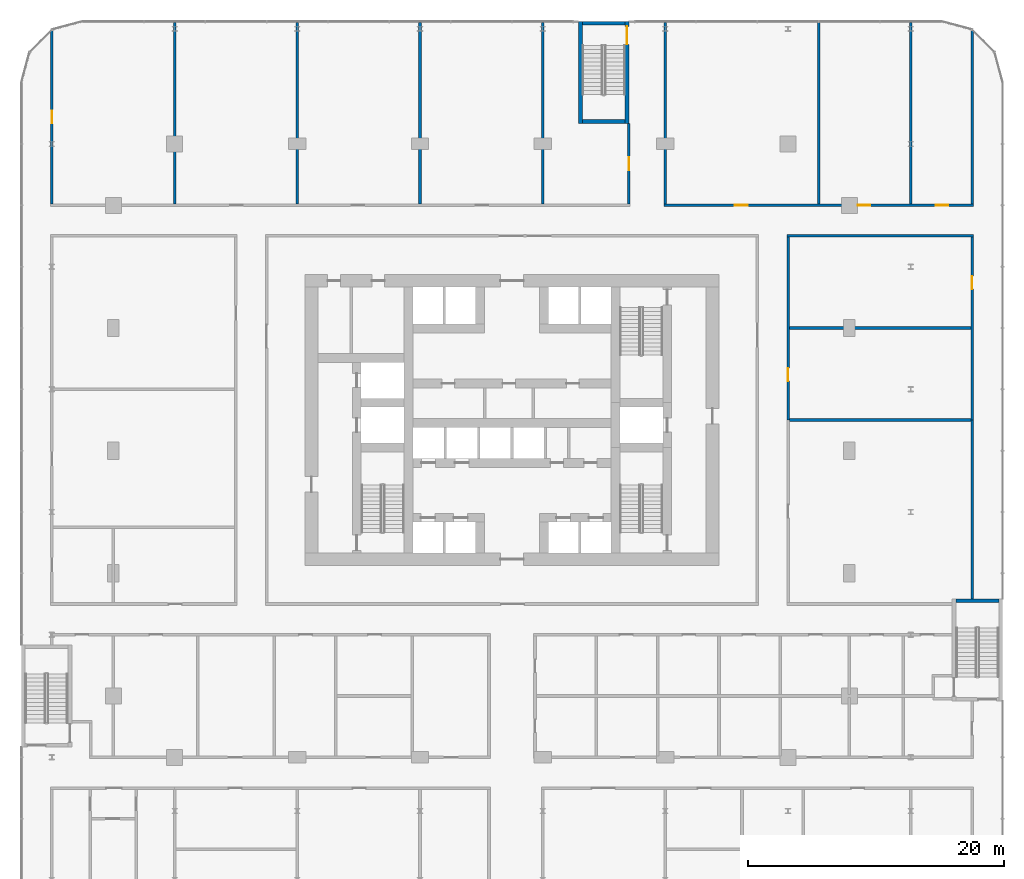
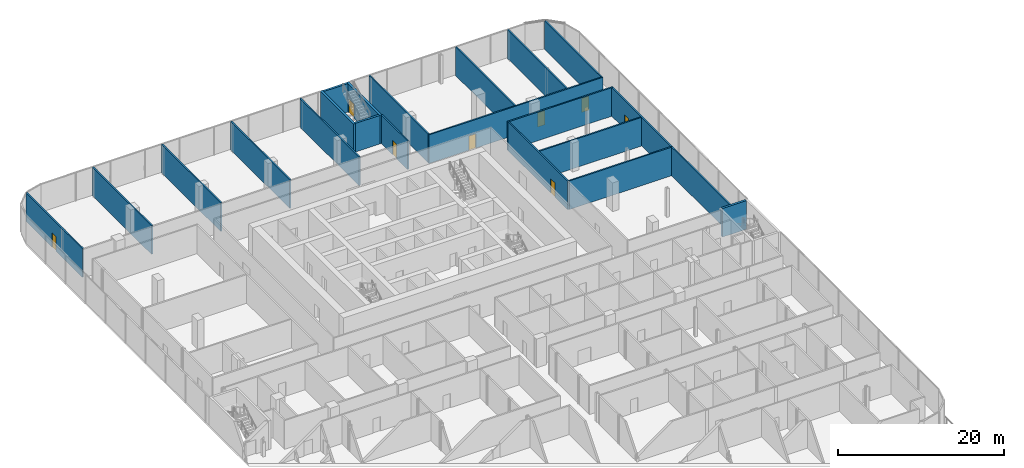
# One storey, part 37 of 45: 22 walls, 8 doors, 8 openings.
"""IFC4 building model written with IfcOpenShell, lengths in metres."""

from ifc_helpers import new_model, si_unit, direction, frame, frame_2d, origin, place, context, subcontext, project, spatial, rectangle, extrude, material, layer, layer_set, type_object, element, fill, save


model = new_model("IFC4")

# Units and contexts
model_context = context("Model", 3, precision=1e-05, world=origin(), true_north=direction((0.0, 1.0)))
body_context = subcontext(model_context, "Body", "Model", "MODEL_VIEW")
ifc_project = project(units=[si_unit("LENGTHUNIT", "METRE"), si_unit("AREAUNIT", "SQUARE_METRE"), si_unit("VOLUMEUNIT", "CUBIC_METRE"), si_unit("PLANEANGLEUNIT", "RADIAN"), si_unit("MASSUNIT", "GRAM", prefix="KILO")], contexts=[model_context])

# Site, building, storey
site_placement = place(None, origin())
site = spatial("IfcSite", under=ifc_project, at=site_placement, CompositionType="ELEMENT")
building_placement = place(site_placement, origin())
building = spatial("IfcBuilding", under=site, at=building_placement, Name="Madar Terraces", CompositionType="ELEMENT")
storey_placement = place(building_placement, frame((0.0, 0.0, 6.0)))
storey = spatial("IfcBuildingStorey", under=building, at=storey_placement, Name="L01", CompositionType="ELEMENT", Elevation=6.0)

# Walls
ifc_material_1 = material(Name="Blockwork", Category="masonry")
ifc_layer_1 = layer(ifc_material_1, 0.199951171875)
ifc_layer_set_1 = layer_set([ifc_layer_1], Name="Partition 200 EI 120")
wall_type_1 = type_object("IfcWallType", Name="Partition 200 EI 120", PredefinedType="PARTITIONING", material=ifc_layer_set_1)
wall_1_placement = place(storey_placement, frame((52.89990234375, 26.39990234375, 0.0), z_axis=(0.0, 0.0, 1.0), x_axis=(1.0, 0.0, 0.0)))
element("IfcWall", 1, at=wall_1_placement, inside=storey, type_object=wall_type_1, Name="Wall COMMS ROOM / CLEANERS STORE", PredefinedType="PARTITIONING", context=body_context, shape_type="SweptSolid", body=[
    extrude(rectangle(XDim=14.2001953125, YDim=0.199951171875, at=frame_2d((7.10009765625, 0.0))), origin(), (0.0, 0.0, 1.0), 4.199951171875),
])
wall_2_placement = place(storey_placement, frame((67.199951171875, 12.39990234375, 0.0), z_axis=(0.0, 0.0, 1.0), x_axis=(0.0, 1.0, 0.0)))
element("IfcWall", 2, at=wall_2_placement, inside=storey, type_object=wall_type_1, Name="Wall COMMS ROOM / PODIUM CORRIDOR", PredefinedType="PARTITIONING", context=body_context, shape_type="SweptSolid", body=[
    extrude(rectangle(XDim=14.0, YDim=0.199951171875, at=frame_2d((7.0, 0.0))), origin(), (0.0, 0.0, 1.0), 4.199951171875),
])
ifc_material_2 = material(Name="Gypsum board partition, fire-rated")
ifc_layer_2 = layer(ifc_material_2, 0.199951171875)
ifc_layer_set_2 = layer_set([ifc_layer_2], Name="Partition 200 EI 60")
wall_type_2 = type_object("IfcWallType", Name="Partition 200 EI 60", PredefinedType="PARTITIONING", material=ifc_layer_set_2)
wall_3_placement = place(storey_placement, frame((52.89990234375, 33.60009765625, 0.0), z_axis=(0.0, 0.0, 1.0), x_axis=(1.0, 0.0, 0.0)))
element("IfcWall", 3, at=wall_3_placement, inside=storey, type_object=wall_type_2, Name="Wall CLEANERS STORE / STAFF ROOM", PredefinedType="PARTITIONING", context=body_context, shape_type="SweptSolid", body=[
    extrude(rectangle(XDim=14.2001953125, YDim=0.199951171875, at=frame_2d((7.10009765625, 0.0))), origin(), (0.0, 0.0, 1.0), 4.199951171875),
])
wall_4_placement = place(storey_placement, frame((52.699951171875, 40.800048828125, 0.0), z_axis=(0.0, 0.0, 1.0), x_axis=(1.0, 0.0, 0.0)))
element("IfcWall", 4, at=wall_4_placement, inside=storey, type_object=wall_type_2, Name="Wall STAFF ROOM / PODIUM CORRIDOR", PredefinedType="PARTITIONING", context=body_context, shape_type="SweptSolid", body=[
    extrude(rectangle(XDim=14.60009765625, YDim=0.199951171875, at=frame_2d((7.300048828125, 0.0))), origin(), (0.0, 0.0, 1.0), 4.199951171875),
])

# Wall, openings, doors
wall_5_placement = place(storey_placement, frame((43.10009765625, 43.199951171875, 0.0), z_axis=(0.0, 0.0, 1.0), x_axis=(1.0, 0.0, 0.0)))
wall_5 = element("IfcWall", 5, at=wall_5_placement, inside=storey, type_object=wall_type_2, Name="Wall ARCHIVE STORE + REST ROOM", PredefinedType="PARTITIONING", context=body_context, shape_type="SweptSolid", body=[
    extrude(rectangle(XDim=24.199951171875, YDim=0.199951171875, at=frame_2d((12.10009765625, 0.0))), origin(), (0.0, 0.0, 1.0), 4.199951171875),
])
opening_1_placement = place(wall_5_placement, frame((5.550048828125, 0.0, 0.0)))
opening_1 = element("IfcOpeningElement", 6, at=opening_1_placement, cuts=wall_5, Name="Opening D31", PredefinedType="OPENING", context=body_context, shape_type="SweptSolid", body=[
    extrude(rectangle(XDim=1.0, YDim=2.10009765625, at=frame_2d((0.5, 1.050048828125))), frame((0.0, 0.10986328125, 0.0), z_axis=(0.0, -1.0, 0.0), x_axis=(1.0, 0.0, 0.0)), (0.0, 0.0, 1.0), 0.219970703125),
])
opening_2_placement = place(wall_5_placement, frame((15.14990234375, 0.0, 0.0)))
opening_2 = element("IfcOpeningElement", 7, at=opening_2_placement, cuts=wall_5, Name="Opening D31", PredefinedType="OPENING", context=body_context, shape_type="SweptSolid", body=[
    extrude(rectangle(XDim=1.0, YDim=2.10009765625, at=frame_2d((0.5, 1.050048828125))), frame((0.0, 0.10986328125, 0.0), z_axis=(0.0, -1.0, 0.0), x_axis=(1.0, 0.0, 0.0)), (0.0, 0.0, 1.0), 0.219970703125),
])
opening_3_placement = place(wall_5_placement, frame((21.25, 0.0, 0.0)))
opening_3 = element("IfcOpeningElement", 8, at=opening_3_placement, cuts=wall_5, Name="Opening D31", PredefinedType="OPENING", context=body_context, shape_type="SweptSolid", body=[
    extrude(rectangle(XDim=1.0, YDim=2.10009765625, at=frame_2d((0.5, 1.050048828125))), frame((0.0, 0.10986328125, 0.0), z_axis=(0.0, -1.0, 0.0), x_axis=(1.0, 0.0, 0.0)), (0.0, 0.0, 1.0), 0.219970703125),
])
ifc_material_3 = material(Name="Timber door leaf, fire-rated", Category="wood")
door_type_1 = type_object("IfcDoorType", Name="Podium door 1000 x 2100 FD30S", OperationType="NOTDEFINED", PredefinedType="DOOR", material=ifc_material_3)
door_1_placement = place(opening_1_placement, origin())
door_1 = element("IfcDoor", 9, at=door_1_placement, inside=storey, type_object=door_type_1, Name="Door ARCHIVE STORE / PODIUM CORRIDOR", OperationType="SINGLE_SWING_LEFT", OverallHeight=2.10009765625, OverallWidth=1.0, PredefinedType="DOOR", context=body_context, shape_type="SweptSolid", body=[
    extrude(rectangle(XDim=1.0, YDim=2.10009765625, at=frame_2d((0.5, 1.050048828125))), frame((0.0, 0.02490234375, 0.0), z_axis=(0.0, -1.0, 0.0), x_axis=(1.0, 0.0, 0.0)), (0.0, 0.0, 1.0), 0.050048828125),
])
fill(opening_1, door_1)
door_2_placement = place(opening_2_placement, origin())
door_2 = element("IfcDoor", 10, at=door_2_placement, inside=storey, type_object=door_type_1, Name="Door STAFF ROOM / PODIUM CORRIDOR", OperationType="SINGLE_SWING_LEFT", OverallHeight=2.10009765625, OverallWidth=1.0, PredefinedType="DOOR", context=body_context, shape_type="SweptSolid", body=[
    extrude(rectangle(XDim=1.0, YDim=2.10009765625, at=frame_2d((0.5, 1.050048828125))), frame((0.0, 0.02490234375, 0.0), z_axis=(0.0, -1.0, 0.0), x_axis=(1.0, 0.0, 0.0)), (0.0, 0.0, 1.0), 0.050048828125),
])
fill(opening_2, door_2)
door_3_placement = place(opening_3_placement, origin())
door_3 = element("IfcDoor", 11, at=door_3_placement, inside=storey, type_object=door_type_1, Name="Door REST ROOM / PODIUM CORRIDOR", OperationType="SINGLE_SWING_LEFT", OverallHeight=2.10009765625, OverallWidth=1.0, PredefinedType="DOOR", context=body_context, shape_type="SweptSolid", body=[
    extrude(rectangle(XDim=1.0, YDim=2.10009765625, at=frame_2d((0.5, 1.050048828125))), frame((0.0, 0.02490234375, 0.0), z_axis=(0.0, -1.0, 0.0), x_axis=(1.0, 0.0, 0.0)), (0.0, 0.0, 1.0), 0.050048828125),
])
fill(opening_3, door_3)

# Wall, opening, door
wall_6_placement = place(storey_placement, frame((-4.800048828125, 56.860107421875, 0.0), z_axis=(0.0, 0.0, 1.0), x_axis=(0.0, -1.0, 0.0)))
wall_6 = element("IfcWall", 12, at=wall_6_placement, inside=storey, type_object=wall_type_2, Name="Wall OFFICE / PODIUM CORRIDOR", PredefinedType="PARTITIONING", context=body_context, shape_type="SweptSolid", body=[
    extrude(rectangle(XDim=13.56005859375, YDim=0.199951171875, at=frame_2d((6.780029296875, 0.0))), origin(), (0.0, 0.0, 1.0), 4.199951171875),
])
opening_4_placement = place(wall_6_placement, frame((6.25, 0.0, 0.0)))
opening_4 = element("IfcOpeningElement", 13, at=opening_4_placement, cuts=wall_6, Name="Opening D31", PredefinedType="OPENING", context=body_context, shape_type="SweptSolid", body=[
    extrude(rectangle(XDim=1.0, YDim=2.10009765625, at=frame_2d((0.5, 1.050048828125))), frame((0.0, 0.10986328125, 0.0), z_axis=(0.0, -1.0, 0.0), x_axis=(1.0, 0.0, 0.0)), (0.0, 0.0, 1.0), 0.219970703125),
])
door_4_placement = place(opening_4_placement, origin())
door_4 = element("IfcDoor", 14, at=door_4_placement, inside=storey, type_object=door_type_1, Name="Door OFFICE / PODIUM CORRIDOR", OperationType="SINGLE_SWING_LEFT", OverallHeight=2.10009765625, OverallWidth=1.0, PredefinedType="DOOR", context=body_context, shape_type="SweptSolid", body=[
    extrude(rectangle(XDim=1.0, YDim=2.10009765625, at=frame_2d((0.5, 1.050048828125))), frame((0.0, 0.02490234375, 0.0), z_axis=(0.0, -1.0, 0.0), x_axis=(1.0, 0.0, 0.0)), (0.0, 0.0, 1.0), 0.050048828125),
])
fill(opening_4, door_4)

# Walls
for number, where, z_axis, x_axis, name in (
    (15, (4.800048828125, 43.300048828125, 0.0), (0.0, 0.0, 1.0), (0.0, 1.0, 0.0), "Wall OFFICE / OFFICE"),
    (16, (14.39990234375, 43.300048828125, 0.0), (0.0, 0.0, 1.0), (0.0, 1.0, 0.0), "Wall OFFICE / MANAGERS OFFICE"),
    (17, (24.0, 43.300048828125, 0.0), (0.0, 0.0, 1.0), (0.0, 1.0, 0.0), "Wall MANAGERS OFFICE / STAFF ROOM"),
    (18, (33.60009765625, 43.300048828125, 0.0), (0.0, 0.0, 1.0), (0.0, 1.0, 0.0), "Wall STAFF ROOM / OFFICE"),
):
    element("IfcWall", number, at=place(storey_placement, frame(where, z_axis=z_axis, x_axis=x_axis)), inside=storey, type_object=wall_type_2, Name=name, PredefinedType="PARTITIONING", context=body_context, shape_type="SweptSolid", body=[
        extrude(rectangle(XDim=14.199951171875, YDim=0.199951171875, at=frame_2d((7.10009765625, 0.0))), origin(), (0.0, 0.0, 1.0), 4.199951171875),
    ])

# Wall, opening, door
wall_7_placement = place(storey_placement, frame((40.35009765625, 43.300048828125, 0.0), z_axis=(0.0, 0.0, 1.0), x_axis=(0.0, 1.0, 0.0)))
wall_7 = element("IfcWall", 19, at=wall_7_placement, inside=storey, type_object=wall_type_2, Name="Wall OFFICE / PODIUM CORRIDOR", PredefinedType="PARTITIONING", context=body_context, shape_type="SweptSolid", body=[
    extrude(rectangle(XDim=6.300048828125, YDim=0.199951171875, at=frame_2d((3.14990234375, 0.0))), origin(), (0.0, 0.0, 1.0), 4.199951171875),
])
opening_5_placement = place(wall_7_placement, frame((2.64990234375, 0.0, 0.0)))
opening_5 = element("IfcOpeningElement", 20, at=opening_5_placement, cuts=wall_7, Name="Opening D31", PredefinedType="OPENING", context=body_context, shape_type="SweptSolid", body=[
    extrude(rectangle(XDim=1.0, YDim=2.10009765625, at=frame_2d((0.5, 1.050048828125))), frame((0.0, 0.10986328125, 0.0), z_axis=(0.0, -1.0, 0.0), x_axis=(1.0, 0.0, 0.0)), (0.0, 0.0, 1.0), 0.219970703125),
])
door_5_placement = place(opening_5_placement, origin())
door_5 = element("IfcDoor", 21, at=door_5_placement, inside=storey, type_object=door_type_1, Name="Door OFFICE / PODIUM CORRIDOR", OperationType="SINGLE_SWING_RIGHT", OverallHeight=2.10009765625, OverallWidth=1.0, PredefinedType="DOOR", context=body_context, shape_type="SweptSolid", body=[
    extrude(rectangle(XDim=1.0, YDim=2.10009765625, at=frame_2d((0.5, 1.050048828125))), frame((0.0, 0.02490234375, 0.0), z_axis=(0.0, -1.0, 0.0), x_axis=(1.0, 0.0, 0.0)), (0.0, 0.0, 1.0), 0.050048828125),
])
fill(opening_5, door_5)

# Wall
wall_8_placement = place(storey_placement, frame((43.199951171875, 43.300048828125, 0.0), z_axis=(0.0, 0.0, 1.0), x_axis=(0.0, 1.0, 0.0)))
element("IfcWall", 22, at=wall_8_placement, inside=storey, type_object=wall_type_2, Name="Wall ARCHIVE STORE / PODIUM CORRIDOR", PredefinedType="PARTITIONING", context=body_context, shape_type="SweptSolid", body=[
    extrude(rectangle(XDim=14.199951171875, YDim=0.199951171875, at=frame_2d((7.10009765625, 0.0))), origin(), (0.0, 0.0, 1.0), 4.199951171875),
])

# Wall, opening, door
wall_9_placement = place(storey_placement, frame((52.800048828125, 40.699951171875, 0.0), z_axis=(0.0, 0.0, 1.0), x_axis=(0.0, -1.0, 0.0)))
wall_9 = element("IfcWall", 23, at=wall_9_placement, inside=storey, type_object=wall_type_2, Name="Wall CLEANERS STORE + STAFF ROOM", PredefinedType="PARTITIONING", context=body_context, shape_type="SweptSolid", body=[
    extrude(rectangle(XDim=14.300048828125, YDim=0.199951171875, at=frame_2d((7.14990234375, 0.0))), origin(), (0.0, 0.0, 1.0), 4.199951171875),
])
opening_6_placement = place(wall_9_placement, frame((10.25, 0.0, 0.0)))
opening_6 = element("IfcOpeningElement", 24, at=opening_6_placement, cuts=wall_9, Name="Opening D31", PredefinedType="OPENING", context=body_context, shape_type="SweptSolid", body=[
    extrude(rectangle(XDim=1.0, YDim=2.10009765625, at=frame_2d((0.5, 1.050048828125))), frame((0.0, 0.10986328125, 0.0), z_axis=(0.0, -1.0, 0.0), x_axis=(1.0, 0.0, 0.0)), (0.0, 0.0, 1.0), 0.219970703125),
])
door_6_placement = place(opening_6_placement, origin())
door_6 = element("IfcDoor", 25, at=door_6_placement, inside=storey, type_object=door_type_1, Name="Door CLEANERS STORE / PODIUM CORRIDOR", OperationType="SINGLE_SWING_RIGHT", OverallHeight=2.10009765625, OverallWidth=1.0, PredefinedType="DOOR", context=body_context, shape_type="SweptSolid", body=[
    extrude(rectangle(XDim=1.0, YDim=2.10009765625, at=frame_2d((0.5, 1.050048828125))), frame((0.0, 0.02490234375, 0.0), z_axis=(0.0, -1.0, 0.0), x_axis=(1.0, 0.0, 0.0)), (0.0, 0.0, 1.0), 0.050048828125),
])
fill(opening_6, door_6)

# Walls
for number, where, z_axis, x_axis, name in (
    (26, (55.199951171875, 43.300048828125, 0.0), (0.0, 0.0, 1.0), (0.0, 1.0, 0.0), "Wall ARCHIVE STORE / STAFF ROOM"),
    (27, (62.39990234375, 43.300048828125, 0.0), (0.0, 0.0, 1.0), (0.0, 1.0, 0.0), "Wall STAFF ROOM / REST ROOM"),
):
    element("IfcWall", number, at=place(storey_placement, frame(where, z_axis=z_axis, x_axis=x_axis)), inside=storey, type_object=wall_type_2, Name=name, PredefinedType="PARTITIONING", context=body_context, shape_type="SweptSolid", body=[
        extrude(rectangle(XDim=14.199951171875, YDim=0.199951171875, at=frame_2d((7.10009765625, 0.0))), origin(), (0.0, 0.0, 1.0), 4.199951171875),
    ])

# Wall, opening, door
wall_10_placement = place(storey_placement, frame((67.199951171875, 26.39990234375, 0.0), z_axis=(0.0, 0.0, 1.0), x_axis=(0.0, 1.0, 0.0)))
wall_10 = element("IfcWall", 28, at=wall_10_placement, inside=storey, type_object=wall_type_2, Name="Wall CLEANERS STORE + STAFF ROOM", PredefinedType="PARTITIONING", context=body_context, shape_type="SweptSolid", body=[
    extrude(rectangle(XDim=14.300048828125, YDim=0.199951171875, at=frame_2d((7.14990234375, 0.0))), origin(), (0.0, 0.0, 1.0), 4.199951171875),
])
opening_7_placement = place(wall_10_placement, frame((10.25, 0.0, 0.0)))
opening_7 = element("IfcOpeningElement", 29, at=opening_7_placement, cuts=wall_10, Name="Opening D31", PredefinedType="OPENING", context=body_context, shape_type="SweptSolid", body=[
    extrude(rectangle(XDim=1.0, YDim=2.10009765625, at=frame_2d((0.5, 1.050048828125))), frame((0.0, 0.10986328125, 0.0), z_axis=(0.0, -1.0, 0.0), x_axis=(1.0, 0.0, 0.0)), (0.0, 0.0, 1.0), 0.219970703125),
])
door_7_placement = place(opening_7_placement, origin())
door_7 = element("IfcDoor", 30, at=door_7_placement, inside=storey, type_object=door_type_1, Name="Door STAFF ROOM / PODIUM CORRIDOR", OperationType="SINGLE_SWING_RIGHT", OverallHeight=2.10009765625, OverallWidth=1.0, PredefinedType="DOOR", context=body_context, shape_type="SweptSolid", body=[
    extrude(rectangle(XDim=1.0, YDim=2.10009765625, at=frame_2d((0.5, 1.050048828125))), frame((0.0, 0.02490234375, 0.0), z_axis=(0.0, -1.0, 0.0), x_axis=(1.0, 0.0, 0.0)), (0.0, 0.0, 1.0), 0.050048828125),
])
fill(opening_7, door_7)

# Walls
wall_11_placement = place(storey_placement, frame((67.199951171875, 43.300048828125, 0.0), z_axis=(0.0, 0.0, 1.0), x_axis=(0.0, 1.0, 0.0)))
element("IfcWall", 31, at=wall_11_placement, inside=storey, type_object=wall_type_2, Name="Wall REST ROOM / PODIUM CORRIDOR", PredefinedType="PARTITIONING", context=body_context, shape_type="SweptSolid", body=[
    extrude(rectangle(XDim=13.56005859375, YDim=0.199951171875, at=frame_2d((6.780029296875, 0.0))), origin(), (0.0, 0.0, 1.0), 4.199951171875),
])
ifc_material_4 = material(Name="Concrete C40/50", Category="concrete")
ifc_layer_3 = layer(ifc_material_4, 0.300048828125)
ifc_layer_set_3 = layer_set([ifc_layer_3], Name="Podium stair wall 300 C40/50")
wall_type_3 = type_object("IfcWallType", Name="Podium stair wall 300 C40/50", PredefinedType="SOLIDWALL", material=ifc_layer_set_3)
wall_12_placement = place(storey_placement, frame((36.550048828125, 49.60009765625, 0.0), z_axis=(0.0, 0.0, 1.0), x_axis=(0.0, 1.0, 0.0)))
element("IfcWall", 32, at=wall_12_placement, inside=storey, type_object=wall_type_3, Name="PODIUM STAIR WALL", PredefinedType="SOLIDWALL", context=body_context, shape_type="SweptSolid", body=[
    extrude(rectangle(XDim=8.0, YDim=0.300048828125, at=frame_2d((4.0, 0.0))), origin(), (0.0, 0.0, 1.0), 4.199951171875),
])

# Wall, opening, door
wall_13_placement = place(storey_placement, frame((40.199951171875, 49.60009765625, 0.0), z_axis=(0.0, 0.0, 1.0), x_axis=(0.0, 1.0, 0.0)))
wall_13 = element("IfcWall", 33, at=wall_13_placement, inside=storey, type_object=wall_type_3, Name="PODIUM STAIR WALL", PredefinedType="SOLIDWALL", context=body_context, shape_type="SweptSolid", body=[
    extrude(rectangle(XDim=8.0, YDim=0.300048828125, at=frame_2d((4.0, 0.0))), origin(), (0.0, 0.0, 1.0), 4.199951171875),
])
opening_8_placement = place(wall_13_placement, frame((6.199951171875, 0.0, 0.0)))
opening_8 = element("IfcOpeningElement", 34, at=opening_8_placement, cuts=wall_13, Name="Opening PSD1", PredefinedType="OPENING", context=body_context, shape_type="SweptSolid", body=[
    extrude(rectangle(XDim=1.39990234375, YDim=2.10009765625, at=frame_2d((0.699951171875, 1.050048828125))), frame((0.0, 0.159912109375, 0.0), z_axis=(0.0, -1.0, 0.0), x_axis=(1.0, 0.0, 0.0)), (0.0, 0.0, 1.0), 0.320068359375),
])
ifc_material_5 = material(Name="Steel door leaf", Category="steel")
door_type_2 = type_object("IfcDoorType", Name="Podium stair door pair 1400 x 2100", OperationType="DOUBLE_DOOR_SINGLE_SWING", PredefinedType="DOOR", material=ifc_material_5)
door_8_placement = place(opening_8_placement, origin())
door_8 = element("IfcDoor", 35, at=door_8_placement, inside=storey, type_object=door_type_2, Name="STAIR DOOR", OperationType="DOUBLE_DOOR_SINGLE_SWING", OverallHeight=2.10009765625, OverallWidth=1.39990234375, PredefinedType="DOOR", context=body_context, shape_type="SweptSolid", body=[
    extrude(rectangle(XDim=1.39990234375, YDim=2.10009765625, at=frame_2d((0.699951171875, 1.050048828125))), frame((0.0, 0.02490234375, 0.0), z_axis=(0.0, -1.0, 0.0), x_axis=(1.0, 0.0, 0.0)), (0.0, 0.0, 1.0), 0.050048828125),
])
fill(opening_8, door_8)

# Walls
for number, where, z_axis, x_axis, name in (
    (36, (36.699951171875, 49.75, 0.0), (0.0, 0.0, 1.0), (1.0, 0.0, 0.0), "PODIUM STAIR WALL"),
    (37, (65.949951171875, 12.25, 0.0), (0.0, 0.0, 1.0), (1.0, 0.0, 0.0), "PODIUM STAIR WALL"),
):
    element("IfcWall", number, at=place(storey_placement, frame(where, z_axis=z_axis, x_axis=x_axis)), inside=storey, type_object=wall_type_3, Name=name, PredefinedType="SOLIDWALL", context=body_context, shape_type="SweptSolid", body=[
        extrude(rectangle(XDim=3.35009765625, YDim=0.300048828125, at=frame_2d((1.675048828125, 0.0))), origin(), (0.0, 0.0, 1.0), 4.199951171875),
    ])
ifc_material_6 = material(Name="Concrete C40/50", Category="concrete")
ifc_layer_4 = layer(ifc_material_6, 0.300048828125)
ifc_layer_set_4 = layer_set([ifc_layer_4], Name="Podium stair wall 300 C40/50, external")
wall_type_4 = type_object("IfcWallType", Name="Podium stair wall 300 C40/50, external", PredefinedType="SOLIDWALL", material=ifc_layer_set_4)
wall_14_placement = place(storey_placement, frame((36.699951171875, 57.449951171875, 0.0), z_axis=(0.0, 0.0, 1.0), x_axis=(1.0, 0.0, 0.0)))
element("IfcWall", 38, at=wall_14_placement, inside=storey, type_object=wall_type_4, Name="PODIUM STAIR WALL", PredefinedType="SOLIDWALL", context=body_context, shape_type="SweptSolid", body=[
    extrude(rectangle(XDim=3.35009765625, YDim=0.300048828125, at=frame_2d((1.675048828125, 0.0))), origin(), (0.0, 0.0, 1.0), 4.199951171875),
])

save(model, "model.ifc")
